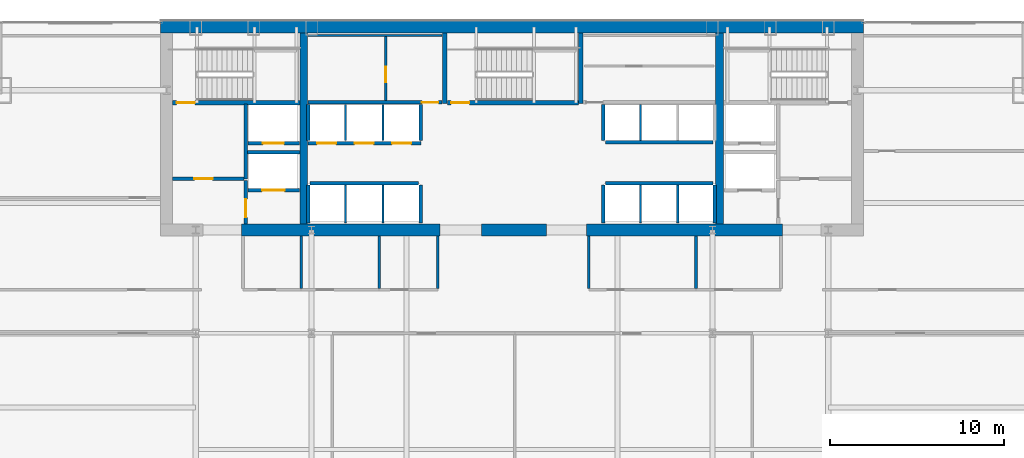
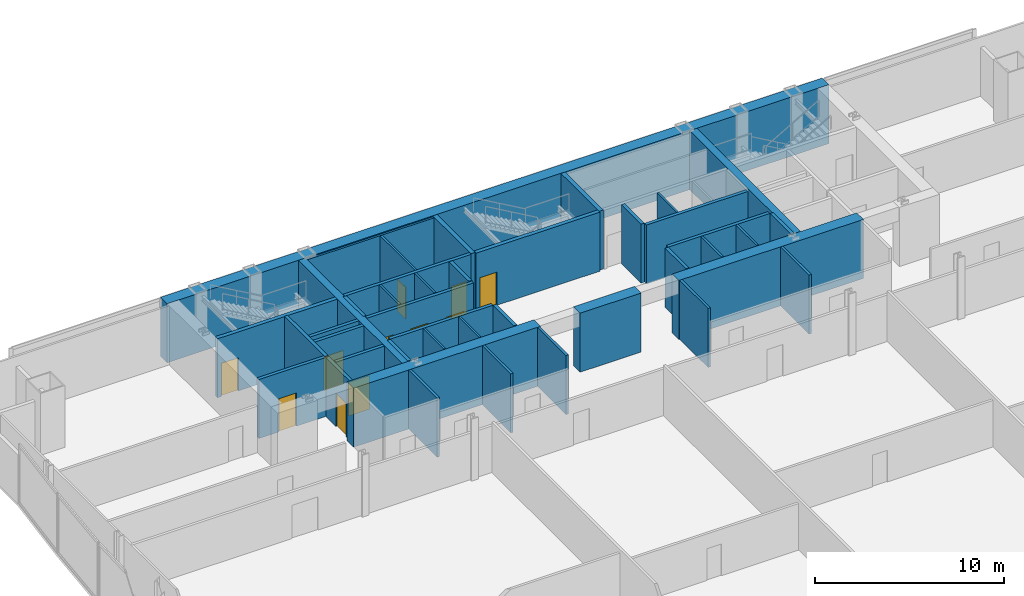
# One storey, part 27 of 30: 42 walls, 11 doors, 11 openings.
"""IFC4 building model written with IfcOpenShell, lengths in metres."""

from ifc_helpers import new_model, si_unit, direction, frame, frame_2d, origin, place, context, subcontext, project, spatial, rectangle, extrude, material, layer, layer_set, type_object, element, fill, save


model = new_model("IFC4")

# Units and contexts
model_context = context("Model", 3, precision=1e-05, world=origin(), true_north=direction((0.0, 1.0)))
body_context = subcontext(model_context, "Body", "Model", "MODEL_VIEW")
ifc_project = project(units=[si_unit("LENGTHUNIT", "METRE"), si_unit("AREAUNIT", "SQUARE_METRE"), si_unit("VOLUMEUNIT", "CUBIC_METRE"), si_unit("PLANEANGLEUNIT", "RADIAN"), si_unit("MASSUNIT", "GRAM", prefix="KILO")], contexts=[model_context])

# Site, building, storey
site_placement = place(None, origin())
site = spatial("IfcSite", under=ifc_project, at=site_placement, CompositionType="ELEMENT")
building_placement = place(site_placement, origin())
building = spatial("IfcBuilding", under=site, at=building_placement, Name="Khoronbel Lancet Exchange", CompositionType="ELEMENT")
storey_placement = place(building_placement, frame((0.0, 0.0, 98.60009765625)))
storey = spatial("IfcBuildingStorey", under=building, at=storey_placement, Name="L23", CompositionType="ELEMENT", Elevation=98.60009765625)

# Walls
ifc_material_1 = material(Name="Concrete C80/95", Category="concrete")
ifc_layer_1 = layer(ifc_material_1, 0.699951171875, Name="Concrete C80/95")
ifc_layer_set_1 = layer_set([ifc_layer_1], Name="Concrete C80/95")
wall_type_1 = type_object("IfcWallType", Name="WL-CW2", PredefinedType="SHEAR", material=ifc_layer_set_1)
wall_1_placement = place(storey_placement, frame((16.199951171875, 53.35009765625, 0.0), z_axis=(0.0, 0.0, 1.0), x_axis=(1.0, 0.0, 0.0)))
element("IfcWall", 1, at=wall_1_placement, inside=storey, type_object=wall_type_1, Name="Level L23 rear core north shear wall", PredefinedType="SHEAR", context=body_context, shape_type="SweptSolid", body=[
    extrude(rectangle(XDim=40.5, YDim=0.699951171875, at=frame_2d((20.25, 0.0))), origin(), (0.0, 0.0, 1.0), 3.81982421875),
])
wall_2_placement = place(storey_placement, frame((32.300048828125, 41.64990234375, 0.0), z_axis=(0.0, 0.0, 1.0), x_axis=(-1.0, 0.0, 0.0)))
element("IfcWall", 2, at=wall_2_placement, inside=storey, type_object=wall_type_1, Name="Level L23 rear core south shear wall pier P2", PredefinedType="SHEAR", context=body_context, shape_type="SweptSolid", body=[
    extrude(rectangle(XDim=11.449951171875, YDim=0.699951171875, at=frame_2d((5.72509765625, 0.0))), origin(), (0.0, 0.0, 1.0), 3.81982421875),
])
wall_3_placement = place(storey_placement, frame((38.449951171875, 41.64990234375, 0.0), z_axis=(0.0, 0.0, 1.0), x_axis=(-1.0, 0.0, 0.0)))
element("IfcWall", 3, at=wall_3_placement, inside=storey, type_object=wall_type_1, Name="Level L23 rear core south shear wall pier P3", PredefinedType="SHEAR", context=body_context, shape_type="SweptSolid", body=[
    extrude(rectangle(XDim=3.75, YDim=0.699951171875, at=frame_2d((1.875, 0.0))), origin(), (0.0, 0.0, 1.0), 3.81982421875),
])
wall_4_placement = place(storey_placement, frame((52.050048828125, 41.64990234375, 0.0), z_axis=(0.0, 0.0, 1.0), x_axis=(-1.0, 0.0, 0.0)))
element("IfcWall", 4, at=wall_4_placement, inside=storey, type_object=wall_type_1, Name="Level L23 rear core south shear wall pier P4", PredefinedType="SHEAR", context=body_context, shape_type="SweptSolid", body=[
    extrude(rectangle(XDim=11.300048828125, YDim=0.699951171875, at=frame_2d((5.64990234375, 0.0))), origin(), (0.0, 0.0, 1.0), 3.81982421875),
])
ifc_material_2 = material(Name="Acoustic Metal-Stud & Mineral-Wool Gypsum Partition 120 mm", Category="gypsum")
ifc_layer_2 = layer(ifc_material_2, 0.1201171875, Name="Acoustic Metal-Stud & Mineral-Wool Gypsum Partition 120 mm")
ifc_layer_set_2 = layer_set([ifc_layer_2], Name="Acoustic Metal-Stud & Mineral-Wool Gypsum Partition 120 mm")
wall_type_2 = type_object("IfcWallType", Name="WL-PRT120", PredefinedType="PARTITIONING", material=ifc_layer_set_2)
for number, where, z_axis, x_axis, name in (
    (5, (24.300048828125, 38.280029296875, 0.0), (0.0, 0.0, 1.0), (0.0, 1.0, 0.0), "Level L23 interior partition PW-WC-1"),
    (6, (28.800048828125, 38.280029296875, 0.0), (0.0, 0.0, 1.0), (0.0, 1.0, 0.0), "Level L23 interior partition PW-WC-2"),
    (7, (32.179931640625, 38.280029296875, 0.0), (0.0, 0.0, 1.0), (0.0, 1.0, 0.0), "Level L23 interior partition PW-WC-3"),
    (8, (40.8798828125, 38.280029296875, 0.0), (0.0, 0.0, 1.0), (0.0, 1.0, 0.0), "Level L23 interior partition PW-NP-0"),
    (9, (47.050048828125, 38.280029296875, 0.0), (0.0, 0.0, 1.0), (0.0, 1.0, 0.0), "Level L23 interior partition PW-NP-M"),
):
    element("IfcWall", number, at=place(storey_placement, frame(where, z_axis=z_axis, x_axis=x_axis)), inside=storey, type_object=wall_type_2, Name=name, PredefinedType="PARTITIONING", context=body_context, shape_type="SweptSolid", body=[
        extrude(rectangle(XDim=3.02001953125, YDim=0.14990234375, at=frame_2d((1.510009765625, 0.0))), origin(), (0.0, 0.0, 1.0), 3.81982421875),
    ])
ifc_material_3 = material(Name="Fire-Rated Metal-Stud & Mineral-Wool Gypsum Partition 120 mm", Category="gypsum")
ifc_layer_3 = layer(ifc_material_3, 0.1201171875, Name="Fire-Rated Metal-Stud & Mineral-Wool Gypsum Partition 120 mm")
ifc_layer_set_3 = layer_set([ifc_layer_3], Name="Fire-Rated Metal-Stud & Mineral-Wool Gypsum Partition 120 mm")
wall_type_3 = type_object("IfcWallType", Name="WL-PRT120F", PredefinedType="PARTITIONING", material=ifc_layer_set_3)
for number, where, z_axis, x_axis, name in (
    (10, (26.860107421875, 46.800048828125, 0.0), (0.0, 0.0, 1.0), (0.0, 1.0, 0.0), "Level L23 interior partition CW-PL-D1"),
    (11, (29.02001953125, 46.800048828125, 0.0), (0.0, 0.0, 1.0), (0.0, 1.0, 0.0), "Level L23 interior partition CW-PL-D2"),
):
    element("IfcWall", number, at=place(storey_placement, frame(where, z_axis=z_axis, x_axis=x_axis)), inside=storey, type_object=wall_type_3, Name=name, PredefinedType="PARTITIONING", context=body_context, shape_type="SweptSolid", body=[
        extrude(rectangle(XDim=2.094970703125, YDim=0.1201171875, at=frame_2d((1.04736328125, 0.0))), origin(), (0.0, 0.0, 1.0), 3.81982421875),
    ])
for number, where, z_axis, x_axis, name in (
    (12, (26.860107421875, 42.050048828125, 0.0), (0.0, 0.0, 1.0), (0.0, 1.0, 0.0), "Level L23 interior partition CW-PM-D1"),
    (13, (29.02001953125, 42.050048828125, 0.0), (0.0, 0.0, 1.0), (0.0, 1.0, 0.0), "Level L23 interior partition CW-PM-D2"),
):
    element("IfcWall", number, at=place(storey_placement, frame(where, z_axis=z_axis, x_axis=x_axis)), inside=storey, type_object=wall_type_3, Name=name, PredefinedType="PARTITIONING", context=body_context, shape_type="SweptSolid", body=[
        extrude(rectangle(XDim=2.195068359375, YDim=0.1201171875, at=frame_2d((1.09765625, 0.0))), origin(), (0.0, 0.0, 1.0), 3.81982421875),
    ])
wall_5_placement = place(storey_placement, frame((43.860107421875, 46.804931640625, 0.0), z_axis=(0.0, 0.0, 1.0), x_axis=(0.0, 1.0, 0.0)))
element("IfcWall", 14, at=wall_5_placement, inside=storey, type_object=wall_type_3, Name="Level L23 interior partition CW-PH-D1", PredefinedType="PARTITIONING", context=body_context, shape_type="SweptSolid", body=[
    extrude(rectangle(XDim=2.090087890625, YDim=0.1201171875, at=frame_2d((1.044921875, 0.0))), origin(), (0.0, 0.0, 1.0), 3.81982421875),
])
for number, where, z_axis, x_axis, name in (
    (15, (43.860107421875, 42.050048828125, 0.0), (0.0, 0.0, 1.0), (0.0, 1.0, 0.0), "Level L23 interior partition CW-PX-D1"),
    (16, (46.0, 42.050048828125, 0.0), (0.0, 0.0, 1.0), (0.0, 1.0, 0.0), "Level L23 interior partition CW-PX-D2"),
):
    element("IfcWall", number, at=place(storey_placement, frame(where, z_axis=z_axis, x_axis=x_axis)), inside=storey, type_object=wall_type_3, Name=name, PredefinedType="PARTITIONING", context=body_context, shape_type="SweptSolid", body=[
        extrude(rectangle(XDim=2.195068359375, YDim=0.1201171875, at=frame_2d((1.09765625, 0.0))), origin(), (0.0, 0.0, 1.0), 3.81982421875),
    ])
wall_6_placement = place(storey_placement, frame((24.699951171875, 52.860107421875, 0.0), z_axis=(0.0, 0.0, 1.0), x_axis=(1.0, 0.0, 0.0)))
element("IfcWall", 17, at=wall_6_placement, inside=storey, type_object=wall_type_3, Name="Level L23 interior partition CW-SUP-NW-N", PredefinedType="PARTITIONING", context=body_context, shape_type="SweptSolid", body=[
    extrude(rectangle(XDim=7.719970703125, YDim=0.1201171875, at=frame_2d((3.85986328125, 0.0))), origin(), (0.0, 0.0, 1.0), 3.81982421875),
])

# Wall, opening, door
wall_7_placement = place(storey_placement, frame((29.177490234375, 49.10498046875, 0.0), z_axis=(0.0, 0.0, 1.0), x_axis=(0.0, 1.0, 0.0)))
wall_7 = element("IfcWall", 18, at=wall_7_placement, inside=storey, type_object=wall_type_3, Name="Level L23 interior partition CW-SUP-NW-M", PredefinedType="PARTITIONING", context=body_context, shape_type="SweptSolid", body=[
    extrude(rectangle(XDim=3.68994140625, YDim=0.1201171875, at=frame_2d((1.844970703125, 0.0))), origin(), (0.0, 0.0, 1.0), 3.81982421875),
])
opening_1_placement = place(wall_7_placement, frame((1.050048828125, 0.0, 0.0)))
opening_1 = element("IfcOpeningElement", 19, at=opening_1_placement, cuts=wall_7, Name="Opening FD4", PredefinedType="OPENING", context=body_context, shape_type="SweptSolid", body=[
    extrude(rectangle(XDim=0.89990234375, YDim=2.050048828125, at=frame_2d((0.449951171875, 1.02490234375))), frame((0.0, 0.070068359375, 0.0), z_axis=(0.0, -1.0, 0.0), x_axis=(1.0, 0.0, 0.0)), (0.0, 0.0, 1.0), 0.14013671875),
])
ifc_material_4 = material(Name="Fire-Rated Steel Core Support Door Assembly", Category="steel")
door_type_1 = type_object("IfcDoorType", Name="DR-FD4", OperationType="NOTDEFINED", PredefinedType="DOOR", material=ifc_material_4)
door_1_placement = place(opening_1_placement, origin())
door_1 = element("IfcDoor", 20, at=door_1_placement, inside=storey, type_object=door_type_1, Name="Core NW inner support door L23-1", OperationType="SINGLE_SWING_LEFT", OverallHeight=2.050048828125, OverallWidth=0.89990234375, PredefinedType="DOOR", context=body_context, shape_type="SweptSolid", body=[
    extrude(rectangle(XDim=0.89990234375, YDim=2.050048828125, at=frame_2d((0.449951171875, 1.02490234375))), frame((0.0, 0.02490234375, 0.0), z_axis=(0.0, -1.0, 0.0), x_axis=(1.0, 0.0, 0.0)), (0.0, 0.0, 1.0), 0.050048828125),
])
fill(opening_1, door_1)

ifc_material_5 = material(Name="Autoclaved Aerated Concrete Blockwork 200 mm", Category="masonry")
ifc_layer_4 = layer(ifc_material_5, 0.199951171875, Name="Autoclaved Aerated Concrete Blockwork 200 mm")
ifc_layer_set_4 = layer_set([ifc_layer_4], Name="Autoclaved Aerated Concrete Blockwork 200 mm")
wall_type_4 = type_object("IfcWallType", Name="WL-PRT200", PredefinedType="PARTITIONING", material=ifc_layer_set_4)
wall_8_placement = place(storey_placement, frame((24.2099609375, 43.949951171875, 0.0), z_axis=(0.0, 0.0, 1.0), x_axis=(-1.0, 0.0, 0.0)))
wall_8 = element("IfcWall", 21, at=wall_8_placement, inside=storey, type_object=wall_type_4, Name="Level L23 elevator hoistway landing front wall SVLW", PredefinedType="PARTITIONING", context=body_context, shape_type="SweptSolid", body=[
    extrude(rectangle(XDim=2.969970703125, YDim=0.199951171875, at=frame_2d((1.48486328125, 0.0))), origin(), (0.0, 0.0, 1.0), 3.81982421875),
])
opening_2_placement = place(wall_8_placement, frame((0.860107421875, 0.0, 0.0)))
opening_2 = element("IfcOpeningElement", 22, at=opening_2_placement, cuts=wall_8, Name="Opening LD-SVL1", PredefinedType="OPENING", context=body_context, shape_type="SweptSolid", body=[
    extrude(rectangle(XDim=1.300048828125, YDim=2.179931640625, at=frame_2d((0.64990234375, 1.08984375))), frame((0.0, 0.10986328125, 0.0), z_axis=(0.0, -1.0, 0.0), x_axis=(1.0, 0.0, 0.0)), (0.0, 0.0, 1.0), 0.219970703125),
])
ifc_material_6 = material(Name="Heavy-Duty Bi-Parting Goods Lift Landing Door", Category="steel")
door_type_2 = type_object("IfcDoorType", Name="DR-LD-SVL", OperationType="NOTDEFINED", PredefinedType="DOOR", material=ifc_material_6)
door_2_placement = place(opening_2_placement, origin())
door_2 = element("IfcDoor", 23, at=door_2_placement, inside=storey, type_object=door_type_2, Name="Elevator landing sliding door LD-SVL1 L23", OperationType="SLIDING_TO_LEFT", OverallHeight=2.179931640625, OverallWidth=1.300048828125, PredefinedType="DOOR", context=body_context, shape_type="SweptSolid", body=[
    extrude(rectangle(XDim=1.300048828125, YDim=2.179931640625, at=frame_2d((0.64990234375, 1.08984375))), frame((0.0, 0.02490234375, 0.0), z_axis=(0.0, -1.0, 0.0), x_axis=(1.0, 0.0, 0.0)), (0.0, 0.0, 1.0), 0.050048828125),
])
fill(opening_2, door_2)

wall_9_placement = place(storey_placement, frame((24.2099609375, 46.64990234375, 0.0), z_axis=(0.0, 0.0, 1.0), x_axis=(-1.0, 0.0, 0.0)))
wall_9 = element("IfcWall", 24, at=wall_9_placement, inside=storey, type_object=wall_type_4, Name="Level L23 elevator hoistway landing front wall FFLW", PredefinedType="PARTITIONING", context=body_context, shape_type="SweptSolid", body=[
    extrude(rectangle(XDim=2.969970703125, YDim=0.199951171875, at=frame_2d((1.48486328125, 0.0))), origin(), (0.0, 0.0, 1.0), 3.81982421875),
])
opening_3_placement = place(wall_9_placement, frame((0.909912109375, 0.0, 0.0)))
opening_3 = element("IfcOpeningElement", 25, at=opening_3_placement, cuts=wall_9, Name="Opening LD-FFL1", PredefinedType="OPENING", context=body_context, shape_type="SweptSolid", body=[
    extrude(rectangle(XDim=1.199951171875, YDim=2.179931640625, at=frame_2d((0.60009765625, 1.08984375))), frame((0.0, 0.10986328125, 0.0), z_axis=(0.0, -1.0, 0.0), x_axis=(1.0, 0.0, 0.0)), (0.0, 0.0, 1.0), 0.219970703125),
])
ifc_material_7 = material(Name="Fire-Rated Stainless Bi-Parting Firefighting Lift Door", Category="steel")
door_type_3 = type_object("IfcDoorType", Name="DR-LD-FFL", OperationType="NOTDEFINED", PredefinedType="DOOR", material=ifc_material_7)
door_3_placement = place(opening_3_placement, origin())
door_3 = element("IfcDoor", 26, at=door_3_placement, inside=storey, type_object=door_type_3, Name="Elevator landing sliding door LD-FFL1 L23", OperationType="SLIDING_TO_LEFT", OverallHeight=2.179931640625, OverallWidth=1.199951171875, PredefinedType="DOOR", context=body_context, shape_type="SweptSolid", body=[
    extrude(rectangle(XDim=1.199951171875, YDim=2.179931640625, at=frame_2d((0.60009765625, 1.08984375))), frame((0.0, 0.02490234375, 0.0), z_axis=(0.0, -1.0, 0.0), x_axis=(1.0, 0.0, 0.0)), (0.0, 0.0, 1.0), 0.050048828125),
])
fill(opening_3, door_3)

# Wall, openings, doors
wall_10_placement = place(storey_placement, frame((31.219970703125, 46.64990234375, 0.0), z_axis=(0.0, 0.0, 1.0), x_axis=(-1.0, 0.0, 0.0)))
wall_10 = element("IfcWall", 27, at=wall_10_placement, inside=storey, type_object=wall_type_4, Name="Level L23 elevator hoistway landing front wall PLW", PredefinedType="PARTITIONING", context=body_context, shape_type="SweptSolid", body=[
    extrude(rectangle(XDim=6.530029296875, YDim=0.199951171875, at=frame_2d((3.26513671875, 0.0))), origin(), (0.0, 0.0, 1.0), 3.81982421875),
])
opening_4_placement = place(wall_10_placement, frame((4.89990234375, 0.0, 0.0)))
opening_4 = element("IfcOpeningElement", 28, at=opening_4_placement, cuts=wall_10, Name="Opening LD-PL1", PredefinedType="OPENING", context=body_context, shape_type="SweptSolid", body=[
    extrude(rectangle(XDim=1.10009765625, YDim=2.179931640625, at=frame_2d((0.550048828125, 1.08984375))), frame((0.0, 0.10986328125, 0.0), z_axis=(0.0, -1.0, 0.0), x_axis=(1.0, 0.0, 0.0)), (0.0, 0.0, 1.0), 0.219970703125),
])
opening_5_placement = place(wall_10_placement, frame((2.739990234375, 0.0, 0.0)))
opening_5 = element("IfcOpeningElement", 29, at=opening_5_placement, cuts=wall_10, Name="Opening LD-PL2", PredefinedType="OPENING", context=body_context, shape_type="SweptSolid", body=[
    extrude(rectangle(XDim=1.10009765625, YDim=2.179931640625, at=frame_2d((0.550048828125, 1.08984375))), frame((0.0, 0.10986328125, 0.0), z_axis=(0.0, -1.0, 0.0), x_axis=(1.0, 0.0, 0.0)), (0.0, 0.0, 1.0), 0.219970703125),
])
opening_6_placement = place(wall_10_placement, frame((0.580078125, 0.0, 0.0)))
opening_6 = element("IfcOpeningElement", 30, at=opening_6_placement, cuts=wall_10, Name="Opening LD-PL3", PredefinedType="OPENING", context=body_context, shape_type="SweptSolid", body=[
    extrude(rectangle(XDim=1.10009765625, YDim=2.179931640625, at=frame_2d((0.550048828125, 1.08984375))), frame((0.0, 0.10986328125, 0.0), z_axis=(0.0, -1.0, 0.0), x_axis=(1.0, 0.0, 0.0)), (0.0, 0.0, 1.0), 0.219970703125),
])
ifc_material_8 = material(Name="Brushed Bronze Bi-Parting Elevator Landing Door", Category="steel")
door_type_4 = type_object("IfcDoorType", Name="DR-LD-PAX", OperationType="NOTDEFINED", PredefinedType="DOOR", material=ifc_material_8)
door_4_placement = place(opening_4_placement, origin())
door_4 = element("IfcDoor", 31, at=door_4_placement, inside=storey, type_object=door_type_4, Name="Elevator landing sliding door LD-PL1 L23", OperationType="SLIDING_TO_LEFT", OverallHeight=2.179931640625, OverallWidth=1.10009765625, PredefinedType="DOOR", context=body_context, shape_type="SweptSolid", body=[
    extrude(rectangle(XDim=1.10009765625, YDim=2.179931640625, at=frame_2d((0.550048828125, 1.08984375))), frame((0.0, 0.02490234375, 0.0), z_axis=(0.0, -1.0, 0.0), x_axis=(1.0, 0.0, 0.0)), (0.0, 0.0, 1.0), 0.050048828125),
])
fill(opening_4, door_4)
door_5_placement = place(opening_5_placement, origin())
door_5 = element("IfcDoor", 32, at=door_5_placement, inside=storey, type_object=door_type_4, Name="Elevator landing sliding door LD-PL2 L23", OperationType="SLIDING_TO_LEFT", OverallHeight=2.179931640625, OverallWidth=1.10009765625, PredefinedType="DOOR", context=body_context, shape_type="SweptSolid", body=[
    extrude(rectangle(XDim=1.10009765625, YDim=2.179931640625, at=frame_2d((0.550048828125, 1.08984375))), frame((0.0, 0.02490234375, 0.0), z_axis=(0.0, -1.0, 0.0), x_axis=(1.0, 0.0, 0.0)), (0.0, 0.0, 1.0), 0.050048828125),
])
fill(opening_5, door_5)
door_6_placement = place(opening_6_placement, origin())
door_6 = element("IfcDoor", 33, at=door_6_placement, inside=storey, type_object=door_type_4, Name="Elevator landing sliding door LD-PL3 L23", OperationType="SLIDING_TO_LEFT", OverallHeight=2.179931640625, OverallWidth=1.10009765625, PredefinedType="DOOR", context=body_context, shape_type="SweptSolid", body=[
    extrude(rectangle(XDim=1.10009765625, YDim=2.179931640625, at=frame_2d((0.550048828125, 1.08984375))), frame((0.0, 0.02490234375, 0.0), z_axis=(0.0, -1.0, 0.0), x_axis=(1.0, 0.0, 0.0)), (0.0, 0.0, 1.0), 0.050048828125),
])
fill(opening_6, door_6)

# Wall
wall_11_placement = place(storey_placement, frame((21.10009765625, 44.60009765625, 0.0), z_axis=(0.0, 0.0, 1.0), x_axis=(0.0, 1.0, 0.0)))
element("IfcWall", 34, at=wall_11_placement, inside=storey, type_object=wall_type_4, Name="Level L23 interior partition CW-FFLW-E", PredefinedType="PARTITIONING", context=body_context, shape_type="SweptSolid", body=[
    extrude(rectangle(XDim=4.2998046875, YDim=0.199951171875, at=frame_2d((2.14990234375, 0.0))), origin(), (0.0, 0.0, 1.0), 3.81982421875),
])

# Wall, opening, door
wall_12_placement = place(storey_placement, frame((16.89990234375, 44.60009765625, 0.0), z_axis=(0.0, 0.0, 1.0), x_axis=(1.0, 0.0, 0.0)))
wall_12 = element("IfcWall", 35, at=wall_12_placement, inside=storey, type_object=wall_type_4, Name="Level L23 interior partition CW-FFLW-S", PredefinedType="PARTITIONING", context=body_context, shape_type="SweptSolid", body=[
    extrude(rectangle(XDim=4.10009765625, YDim=0.199951171875, at=frame_2d((2.050048828125, 0.0))), origin(), (0.0, 0.0, 1.0), 3.81982421875),
])
opening_7_placement = place(wall_12_placement, frame((1.25, 0.0, 0.0)))
opening_7 = element("IfcOpeningElement", 36, at=opening_7_placement, cuts=wall_12, Name="Opening FD1", PredefinedType="OPENING", context=body_context, shape_type="SweptSolid", body=[
    extrude(rectangle(XDim=1.050048828125, YDim=2.14990234375, at=frame_2d((0.52490234375, 1.074951171875))), frame((0.0, 0.10986328125, 0.0), z_axis=(0.0, -1.0, 0.0), x_axis=(1.0, 0.0, 0.0)), (0.0, 0.0, 1.0), 0.219970703125),
])
ifc_material_9 = material(Name="Fire-Rated Painted Steel Door Assembly", Category="steel")
door_type_5 = type_object("IfcDoorType", Name="DR-FD1", OperationType="NOTDEFINED", PredefinedType="DOOR", material=ifc_material_9)
door_7_placement = place(opening_7_placement, origin())
door_7 = element("IfcDoor", 37, at=door_7_placement, inside=storey, type_object=door_type_5, Name="West firefighting lobby FD90S door L23-1", OperationType="SINGLE_SWING_RIGHT", OverallHeight=2.14990234375, OverallWidth=1.050048828125, PredefinedType="DOOR", context=body_context, shape_type="SweptSolid", body=[
    extrude(rectangle(XDim=1.050048828125, YDim=2.14990234375, at=frame_2d((0.52490234375, 1.074951171875))), frame((0.0, 0.02490234375, 0.0), z_axis=(0.0, -1.0, 0.0), x_axis=(1.0, 0.0, 0.0)), (0.0, 0.0, 1.0), 0.050048828125),
])
fill(opening_7, door_7)

# Wall
wall_13_placement = place(storey_placement, frame((21.199951171875, 46.1201171875, 0.0), z_axis=(0.0, 0.0, 1.0), x_axis=(1.0, 0.0, 0.0)))
element("IfcWall", 38, at=wall_13_placement, inside=storey, type_object=wall_type_4, Name="Level L23 interior partition CW-FFL1-S", PredefinedType="PARTITIONING", context=body_context, shape_type="SweptSolid", body=[
    extrude(rectangle(XDim=3.02001953125, YDim=0.199951171875, at=frame_2d((1.510009765625, 0.0))), origin(), (0.0, 0.0, 1.0), 3.81982421875),
])

# Wall, opening, door
wall_14_placement = place(storey_placement, frame((21.10009765625, 42.0, 0.0), z_axis=(0.0, 0.0, 1.0), x_axis=(0.0, 1.0, 0.0)))
wall_14 = element("IfcWall", 39, at=wall_14_placement, inside=storey, type_object=wall_type_4, Name="Level L23 interior partition CW-SVLW-W", PredefinedType="PARTITIONING", context=body_context, shape_type="SweptSolid", body=[
    extrude(rectangle(XDim=2.4951171875, YDim=0.199951171875, at=frame_2d((1.24755859375, 0.0))), origin(), (0.0, 0.0, 1.0), 3.81982421875),
])
opening_8_placement = place(wall_14_placement, frame((0.3798828125, 0.0, 0.0)))
opening_8 = element("IfcOpeningElement", 40, at=opening_8_placement, cuts=wall_14, Name="Opening FD1", PredefinedType="OPENING", context=body_context, shape_type="SweptSolid", body=[
    extrude(rectangle(XDim=1.050048828125, YDim=2.14990234375, at=frame_2d((0.52490234375, 1.074951171875))), frame((0.0, 0.10986328125, 0.0), z_axis=(0.0, -1.0, 0.0), x_axis=(1.0, 0.0, 0.0)), (0.0, 0.0, 1.0), 0.219970703125),
])
door_8_placement = place(opening_8_placement, origin())
door_8 = element("IfcDoor", 41, at=door_8_placement, inside=storey, type_object=door_type_5, Name="West service lift lobby door L23-1", OperationType="SINGLE_SWING_LEFT", OverallHeight=2.14990234375, OverallWidth=1.050048828125, PredefinedType="DOOR", context=body_context, shape_type="SweptSolid", body=[
    extrude(rectangle(XDim=1.050048828125, YDim=2.14990234375, at=frame_2d((0.52490234375, 1.074951171875))), frame((0.0, 0.02490234375, 0.0), z_axis=(0.0, -1.0, 0.0), x_axis=(1.0, 0.0, 0.0)), (0.0, 0.0, 1.0), 0.050048828125),
])
fill(opening_8, door_8)

# Walls
for number, where, z_axis, x_axis, name in (
    (42, (24.699951171875, 46.800048828125, 0.0), (0.0, 0.0, 1.0), (0.0, 1.0, 0.0), "Level L23 interior partition CW-PL-W"),
    (43, (31.179931640625, 46.800048828125, 0.0), (0.0, 0.0, 1.0), (0.0, 1.0, 0.0), "Level L23 interior partition CW-PL-E"),
):
    element("IfcWall", number, at=place(storey_placement, frame(where, z_axis=z_axis, x_axis=x_axis)), inside=storey, type_object=wall_type_4, Name=name, PredefinedType="PARTITIONING", context=body_context, shape_type="SweptSolid", body=[
        extrude(rectangle(XDim=2.094970703125, YDim=0.199951171875, at=frame_2d((1.04736328125, 0.0))), origin(), (0.0, 0.0, 1.0), 3.81982421875),
    ])
wall_15_placement = place(storey_placement, frame((24.804931640625, 44.35009765625, 0.0), z_axis=(0.0, 0.0, 1.0), x_axis=(1.0, 0.0, 0.0)))
element("IfcWall", 44, at=wall_15_placement, inside=storey, type_object=wall_type_4, Name="Level L23 interior partition CW-PM-EXP", PredefinedType="PARTITIONING", context=body_context, shape_type="SweptSolid", body=[
    extrude(rectangle(XDim=6.27001953125, YDim=0.199951171875, at=frame_2d((3.135009765625, 0.0))), origin(), (0.0, 0.0, 1.0), 3.81982421875),
])
for number, where, z_axis, x_axis, name in (
    (45, (24.699951171875, 42.050048828125, 0.0), (0.0, 0.0, 1.0), (0.0, 1.0, 0.0), "Level L23 interior partition CW-PM-W"),
    (46, (31.179931640625, 42.050048828125, 0.0), (0.0, 0.0, 1.0), (0.0, 1.0, 0.0), "Level L23 interior partition CW-PM-E"),
):
    element("IfcWall", number, at=place(storey_placement, frame(where, z_axis=z_axis, x_axis=x_axis)), inside=storey, type_object=wall_type_4, Name=name, PredefinedType="PARTITIONING", context=body_context, shape_type="SweptSolid", body=[
        extrude(rectangle(XDim=2.195068359375, YDim=0.199951171875, at=frame_2d((1.09765625, 0.0))), origin(), (0.0, 0.0, 1.0), 3.81982421875),
    ])
wall_16_placement = place(storey_placement, frame((41.824951171875, 46.699951171875, 0.0), z_axis=(0.0, 0.0, 1.0), x_axis=(1.0, 0.0, 0.0)))
element("IfcWall", 47, at=wall_16_placement, inside=storey, type_object=wall_type_4, Name="Level L23 interior partition CW-PH-EXP", PredefinedType="PARTITIONING", context=body_context, shape_type="SweptSolid", body=[
    extrude(rectangle(XDim=6.2099609375, YDim=0.199951171875, at=frame_2d((3.10498046875, 0.0))), origin(), (0.0, 0.0, 1.0), 3.81982421875),
])
wall_17_placement = place(storey_placement, frame((41.719970703125, 46.804931640625, 0.0), z_axis=(0.0, 0.0, 1.0), x_axis=(0.0, 1.0, 0.0)))
element("IfcWall", 48, at=wall_17_placement, inside=storey, type_object=wall_type_4, Name="Level L23 interior partition CW-PH-W", PredefinedType="PARTITIONING", context=body_context, shape_type="SweptSolid", body=[
    extrude(rectangle(XDim=2.090087890625, YDim=0.199951171875, at=frame_2d((1.044921875, 0.0))), origin(), (0.0, 0.0, 1.0), 3.81982421875),
])
wall_18_placement = place(storey_placement, frame((41.824951171875, 44.35009765625, 0.0), z_axis=(0.0, 0.0, 1.0), x_axis=(1.0, 0.0, 0.0)))
element("IfcWall", 49, at=wall_18_placement, inside=storey, type_object=wall_type_4, Name="Level L23 interior partition CW-PX-EXP", PredefinedType="PARTITIONING", context=body_context, shape_type="SweptSolid", body=[
    extrude(rectangle(XDim=6.2099609375, YDim=0.199951171875, at=frame_2d((3.10498046875, 0.0))), origin(), (0.0, 0.0, 1.0), 3.81982421875),
])
for number, where, z_axis, x_axis, name in (
    (50, (41.719970703125, 42.050048828125, 0.0), (0.0, 0.0, 1.0), (0.0, 1.0, 0.0), "Level L23 interior partition CW-PX-W"),
    (51, (48.139892578125, 42.050048828125, 0.0), (0.0, 0.0, 1.0), (0.0, 1.0, 0.0), "Level L23 interior partition CW-PX-E"),
):
    element("IfcWall", number, at=place(storey_placement, frame(where, z_axis=z_axis, x_axis=x_axis)), inside=storey, type_object=wall_type_4, Name=name, PredefinedType="PARTITIONING", context=body_context, shape_type="SweptSolid", body=[
        extrude(rectangle(XDim=2.195068359375, YDim=0.199951171875, at=frame_2d((1.09765625, 0.0))), origin(), (0.0, 0.0, 1.0), 3.81982421875),
    ])

# Wall, opening, door
wall_19_placement = place(storey_placement, frame((24.699951171875, 49.0, 0.0), z_axis=(0.0, 0.0, 1.0), x_axis=(1.0, 0.0, 0.0)))
wall_19 = element("IfcWall", 52, at=wall_19_placement, inside=storey, type_object=wall_type_4, Name="Level L23 interior partition CW-SUP-NW-S", PredefinedType="PARTITIONING", context=body_context, shape_type="SweptSolid", body=[
    extrude(rectangle(XDim=7.719970703125, YDim=0.199951171875, at=frame_2d((3.85986328125, 0.0))), origin(), (0.0, 0.0, 1.0), 3.81982421875),
])
opening_9_placement = place(wall_19_placement, frame((6.56005859375, 0.0, 0.0)))
opening_9 = element("IfcOpeningElement", 53, at=opening_9_placement, cuts=wall_19, Name="Opening FD3", PredefinedType="OPENING", context=body_context, shape_type="SweptSolid", body=[
    extrude(rectangle(XDim=0.949951171875, YDim=2.10009765625, at=frame_2d((0.47509765625, 1.050048828125))), frame((0.0, 0.10986328125, 0.0), z_axis=(0.0, -1.0, 0.0), x_axis=(1.0, 0.0, 0.0)), (0.0, 0.0, 1.0), 0.219970703125),
])
ifc_material_10 = material(Name="Fire-Rated Steel Plant & Riser Door Assembly", Category="steel")
door_type_6 = type_object("IfcDoorType", Name="DR-FD3", OperationType="NOTDEFINED", PredefinedType="DOOR", material=ifc_material_10)
door_9_placement = place(opening_9_placement, origin())
door_9 = element("IfcDoor", 54, at=door_9_placement, inside=storey, type_object=door_type_6, Name="Core NW support room door L23-1", OperationType="SINGLE_SWING_RIGHT", OverallHeight=2.10009765625, OverallWidth=0.949951171875, PredefinedType="DOOR", context=body_context, shape_type="SweptSolid", body=[
    extrude(rectangle(XDim=0.949951171875, YDim=2.10009765625, at=frame_2d((0.47509765625, 1.050048828125))), frame((0.0, 0.02490234375, 0.0), z_axis=(0.0, -1.0, 0.0), x_axis=(1.0, 0.0, 0.0)), (0.0, 0.0, 1.0), 0.050048828125),
])
fill(opening_9, door_9)

# Walls
ifc_layer_5 = layer(ifc_material_1, 0.449951171875, Name="Concrete C80/95")
ifc_layer_set_5 = layer_set([ifc_layer_5], Name="Concrete C80/95")
wall_type_5 = type_object("IfcWallType", Name="WL-SW1", PredefinedType="SHEAR", material=ifc_layer_set_5)
for number, where, z_axis, x_axis, name in (
    (55, (24.449951171875, 42.0, 0.0), (0.0, 0.0, 1.0), (0.0, 1.0, 0.0), "Level L23 rear core internal spine shear wall IW"),
    (56, (48.39990234375, 42.0, 0.0), (0.0, 0.0, 1.0), (0.0, 1.0, 0.0), "Level L23 rear core internal spine shear wall IE"),
):
    element("IfcWall", number, at=place(storey_placement, frame(where, z_axis=z_axis, x_axis=x_axis)), inside=storey, type_object=wall_type_5, Name=name, PredefinedType="SHEAR", context=body_context, shape_type="SweptSolid", body=[
        extrude(rectangle(XDim=11.0, YDim=0.449951171875, at=frame_2d((5.5, 0.0))), origin(), (0.0, 0.0, 1.0), 3.81982421875),
    ])
ifc_material_11 = material(Name="Concrete C60/75", Category="concrete")
ifc_layer_6 = layer(ifc_material_11, 0.260009765625, Name="Concrete C60/75")
ifc_layer_set_6 = layer_set([ifc_layer_6], Name="Concrete C60/75")
wall_type_6 = type_object("IfcWallType", Name="WL-SW3", PredefinedType="SHEAR", material=ifc_layer_set_6)
for number, where, z_axis, x_axis, name in (
    (57, (32.580078125, 48.949951171875, 0.0), (0.0, 0.0, 1.0), (0.0, 1.0, 0.0), "Level L23 central stairwell structural shear wall ST3W"),
    (58, (40.419921875, 48.949951171875, 0.0), (0.0, 0.0, 1.0), (0.0, 1.0, 0.0), "Level L23 central stairwell structural shear wall ST3E"),
):
    element("IfcWall", number, at=place(storey_placement, frame(where, z_axis=z_axis, x_axis=x_axis)), inside=storey, type_object=wall_type_6, Name=name, PredefinedType="SHEAR", context=body_context, shape_type="SweptSolid", body=[
        extrude(rectangle(XDim=4.050048828125, YDim=0.260009765625, at=frame_2d((2.02490234375, 0.0))), origin(), (0.0, 0.0, 1.0), 3.81982421875),
    ])

# Wall, opening, door
wall_20_placement = place(storey_placement, frame((16.89990234375, 48.97998046875, 0.0), z_axis=(0.0, 0.0, 1.0), x_axis=(1.0, 0.0, 0.0)))
wall_20 = element("IfcWall", 59, at=wall_20_placement, inside=storey, type_object=wall_type_6, Name="Level L23 west stairwell structural south wall", PredefinedType="SHEAR", context=body_context, shape_type="SweptSolid", body=[
    extrude(rectangle(XDim=7.320068359375, YDim=0.239990234375, at=frame_2d((3.66015625, 0.0))), origin(), (0.0, 0.0, 1.0), 3.81982421875),
])
opening_10_placement = place(wall_20_placement, frame((0.219970703125, 0.0, 0.0)))
opening_10 = element("IfcOpeningElement", 60, at=opening_10_placement, cuts=wall_20, Name="Opening SD1", PredefinedType="OPENING", context=body_context, shape_type="SweptSolid", body=[
    extrude(rectangle(XDim=1.050048828125, YDim=2.14990234375, at=frame_2d((0.52490234375, 1.074951171875))), frame((0.0, 0.1298828125, 0.0), z_axis=(0.0, -1.0, 0.0), x_axis=(1.0, 0.0, 0.0)), (0.0, 0.0, 1.0), 0.260009765625),
])
ifc_material_12 = material(Name="Fire-Rated Steel Stairwell Door Assembly", Category="steel")
door_type_7 = type_object("IfcDoorType", Name="DR-SD1", OperationType="NOTDEFINED", PredefinedType="DOOR", material=ifc_material_12)
door_10_placement = place(opening_10_placement, origin())
door_10 = element("IfcDoor", 61, at=door_10_placement, inside=storey, type_object=door_type_7, Name="Protected exit stair ST1 door L23", OperationType="SINGLE_SWING_LEFT", OverallHeight=2.14990234375, OverallWidth=1.050048828125, PredefinedType="DOOR", context=body_context, shape_type="SweptSolid", body=[
    extrude(rectangle(XDim=1.050048828125, YDim=2.14990234375, at=frame_2d((0.52490234375, 1.074951171875))), frame((0.0, 0.02490234375, 0.0), z_axis=(0.0, -1.0, 0.0), x_axis=(1.0, 0.0, 0.0)), (0.0, 0.0, 1.0), 0.050048828125),
])
fill(opening_10, door_10)

wall_21_placement = place(storey_placement, frame((32.719970703125, 48.97998046875, 0.0), z_axis=(0.0, 0.0, 1.0), x_axis=(1.0, 0.0, 0.0)))
wall_21 = element("IfcWall", 62, at=wall_21_placement, inside=storey, type_object=wall_type_6, Name="Level L23 central stairwell structural south wall", PredefinedType="SHEAR", context=body_context, shape_type="SweptSolid", body=[
    extrude(rectangle(XDim=7.56005859375, YDim=0.239990234375, at=frame_2d((3.780029296875, 0.0))), origin(), (0.0, 0.0, 1.0), 3.81982421875),
])
opening_11_placement = place(wall_21_placement, frame((0.219970703125, 0.0, 0.0)))
opening_11 = element("IfcOpeningElement", 63, at=opening_11_placement, cuts=wall_21, Name="Opening SD1", PredefinedType="OPENING", context=body_context, shape_type="SweptSolid", body=[
    extrude(rectangle(XDim=1.050048828125, YDim=2.14990234375, at=frame_2d((0.52490234375, 1.074951171875))), frame((0.0, 0.1298828125, 0.0), z_axis=(0.0, -1.0, 0.0), x_axis=(1.0, 0.0, 0.0)), (0.0, 0.0, 1.0), 0.260009765625),
])
door_11_placement = place(opening_11_placement, origin())
door_11 = element("IfcDoor", 64, at=door_11_placement, inside=storey, type_object=door_type_7, Name="Protected exit stair ST3 door L23", OperationType="SINGLE_SWING_LEFT", OverallHeight=2.14990234375, OverallWidth=1.050048828125, PredefinedType="DOOR", context=body_context, shape_type="SweptSolid", body=[
    extrude(rectangle(XDim=1.050048828125, YDim=2.14990234375, at=frame_2d((0.52490234375, 1.074951171875))), frame((0.0, 0.02490234375, 0.0), z_axis=(0.0, -1.0, 0.0), x_axis=(1.0, 0.0, 0.0)), (0.0, 0.0, 1.0), 0.050048828125),
])
fill(opening_11, door_11)

save(model, "model.ifc")
